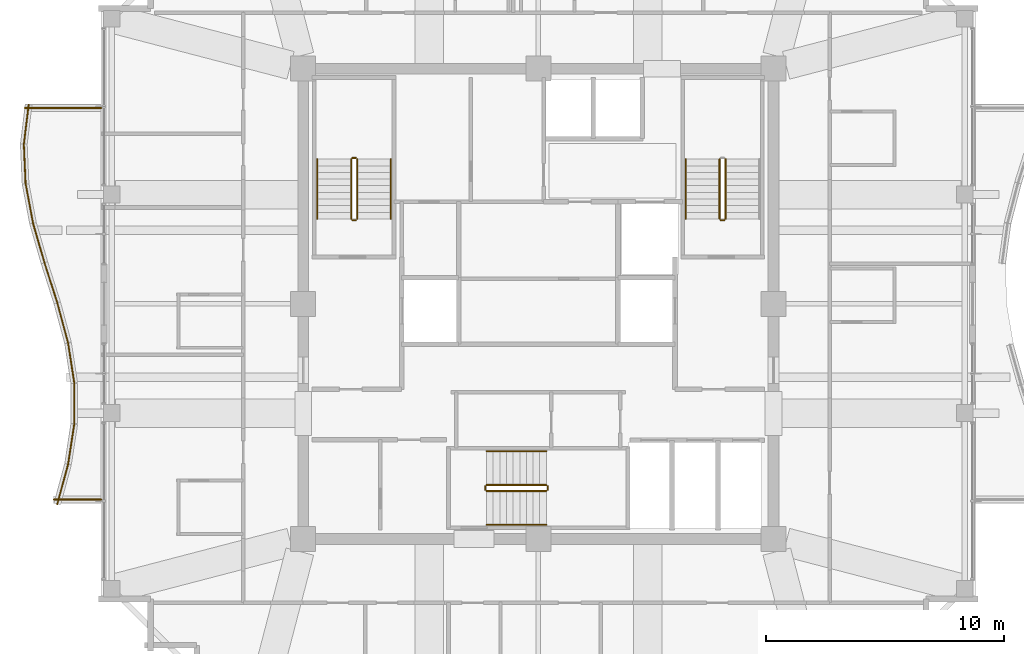
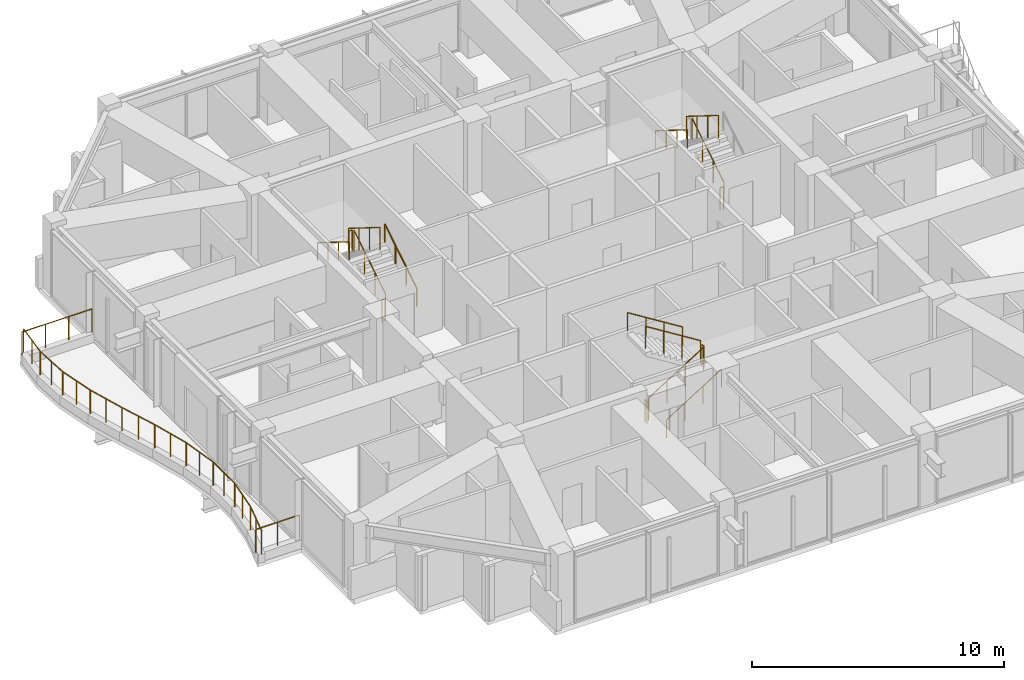
# One storey, part 30 of 31: 28 railings.
"""IFC4 building model written with IfcOpenShell, lengths in metres."""

from ifc_helpers import new_model, si_unit, direction, frame, origin, origin_2d, place, context, subcontext, project, spatial, circle, extrude, material, type_object, element, save


model = new_model("IFC4")

# Units and contexts
model_context = context("Model", 3, precision=1e-05, world=origin(), true_north=direction((0.0, 1.0)))
body_context = subcontext(model_context, "Body", "Model", "MODEL_VIEW")
ifc_project = project(units=[si_unit("LENGTHUNIT", "METRE"), si_unit("AREAUNIT", "SQUARE_METRE"), si_unit("VOLUMEUNIT", "CUBIC_METRE"), si_unit("PLANEANGLEUNIT", "RADIAN"), si_unit("MASSUNIT", "GRAM", prefix="KILO")], contexts=[model_context])

# Site, building, storey
site_placement = place(None, origin())
site = spatial("IfcSite", under=ifc_project, at=site_placement, CompositionType="ELEMENT")
building_placement = place(site_placement, origin())
building = spatial("IfcBuilding", under=site, at=building_placement, Name="Kolvaren Belvedere", CompositionType="ELEMENT")
storey_placement = place(building_placement, frame((0.0, 0.0, 237.39990234375)))
storey = spatial("IfcBuildingStorey", under=building, at=storey_placement, Name="L69", CompositionType="ELEMENT", Elevation=237.39990234375)

# Railings
ifc_material_1 = material(Name="Anodised pale-metal aluminium & laminated glass guard", Category="aluminium")
railing_type_1 = type_object("IfcRailingType", Name="RL-GUARD-1150", PredefinedType="GUARDRAIL", material=ifc_material_1)
railing_1_placement = place(storey_placement, frame((-21.454833984375, 8.380615234375, 0.35009765625)))
element("IfcRailing", 1, at=railing_1_placement, inside=storey, type_object=railing_type_1, Name="L69 Exterior Deck Safety Guard BAL-W-1", PredefinedType="GUARDRAIL", context=body_context, shape_type="SweptSolid", body=[
    extrude(circle(Radius=0.02392578125, at=origin_2d()), frame((0.0, 0.0, 1.1259765625), z_axis=(-0.121868867697, -0.992546210051, 0.0), x_axis=(0.992546210051, -0.121868867697, 0.0)), (0.0, 0.0, 1.0), 1.69287109375),
    extrude(circle(Radius=0.02099609375, at=origin_2d()), origin(), (0.0, 0.0, 1.0), 1.101806640625),
    extrude(circle(Radius=0.02099609375, at=origin_2d()), frame((-0.10302734375, -0.840087890625, 0.0)), (0.0, 0.0, 1.0), 1.101806640625),
    extrude(circle(Radius=0.02099609375, at=origin_2d()), frame((-0.206298828125, -1.68017578125, 0.0)), (0.0, 0.0, 1.0), 1.101806640625),
])
railing_2_placement = place(storey_placement, frame((-21.66015625, 6.727294921875, 0.35009765625)))
element("IfcRailing", 2, at=railing_2_placement, inside=storey, type_object=railing_type_1, Name="L69 Exterior Deck Safety Guard BAL-W-2", PredefinedType="GUARDRAIL", context=body_context, shape_type="SweptSolid", body=[
    extrude(circle(Radius=0.02392578125, at=origin_2d()), frame((0.0, 0.0, 1.1259765625), z_axis=(0.044999415011, -0.998987013253, 0.0), x_axis=(0.998987013253, 0.044999415011, 0.0)), (0.0, 0.0, 1.0), 1.681884765625),
    extrude(circle(Radius=0.02099609375, at=origin_2d()), origin(), (0.0, 0.0, 1.0), 1.101806640625),
    extrude(circle(Radius=0.02099609375, at=origin_2d()), frame((0.037841796875, -0.840087890625, 0.0)), (0.0, 0.0, 1.0), 1.101806640625),
    extrude(circle(Radius=0.02099609375, at=origin_2d()), frame((0.07568359375, -1.68017578125, 0.0)), (0.0, 0.0, 1.0), 1.101806640625),
])
railing_3_placement = place(storey_placement, frame((-21.5869140625, 5.069580078125, 0.35009765625)))
element("IfcRailing", 3, at=railing_3_placement, inside=storey, type_object=railing_type_1, Name="L69 Exterior Deck Safety Guard BAL-W-3", PredefinedType="GUARDRAIL", context=body_context, shape_type="SweptSolid", body=[
    extrude(circle(Radius=0.02392578125, at=origin_2d()), frame((0.0, 0.0, 1.1259765625), z_axis=(0.18467658162, -0.982799348901, 0.0), x_axis=(0.982799348901, 0.18467658162, 0.0)), (0.0, 0.0, 1.0), 1.709228515625),
    extrude(circle(Radius=0.02099609375, at=origin_2d()), origin(), (0.0, 0.0, 1.0), 1.101806640625),
    extrude(circle(Radius=0.02099609375, at=origin_2d()), frame((0.15771484375, -0.83984375, 0.0)), (0.0, 0.0, 1.0), 1.101806640625),
    extrude(circle(Radius=0.02099609375, at=origin_2d()), frame((0.315673828125, -1.679931640625, 0.0)), (0.0, 0.0, 1.0), 1.101806640625),
])
railing_4_placement = place(storey_placement, frame((-21.274658203125, 3.404541015625, 0.35009765625)))
element("IfcRailing", 4, at=railing_4_placement, inside=storey, type_object=railing_type_1, Name="L69 Exterior Deck Safety Guard BAL-W-4", PredefinedType="GUARDRAIL", context=body_context, shape_type="SweptSolid", body=[
    extrude(circle(Radius=0.02392578125, at=origin_2d()), frame((0.0, 0.0, 1.1259765625), z_axis=(0.277817391164, -0.960633903819, 0.0), x_axis=(0.960633903819, 0.277817391164, 0.0)), (0.0, 0.0, 1.0), 1.748779296875),
    extrude(circle(Radius=0.02099609375, at=origin_2d()), origin(), (0.0, 0.0, 1.0), 1.101806640625),
    extrude(circle(Radius=0.02099609375, at=origin_2d()), frame((0.242919921875, -0.83984375, 0.0)), (0.0, 0.0, 1.0), 1.101806640625),
    extrude(circle(Radius=0.02099609375, at=origin_2d()), frame((0.48583984375, -1.679931640625, 0.0)), (0.0, 0.0, 1.0), 1.101806640625),
])
railing_5_placement = place(storey_placement, frame((-20.7900390625, 1.728515625, 0.35009765625)))
element("IfcRailing", 5, at=railing_5_placement, inside=storey, type_object=railing_type_1, Name="L69 Exterior Deck Safety Guard BAL-W-5", PredefinedType="GUARDRAIL", context=body_context, shape_type="SweptSolid", body=[
    extrude(circle(Radius=0.02392578125, at=origin_2d()), frame((0.0, 0.0, 1.1259765625), z_axis=(0.304032153573, -0.952661770826, 0.0), x_axis=(0.952661770826, 0.304032153573, 0.0)), (0.0, 0.0, 1.0), 1.763427734375),
    extrude(circle(Radius=0.02099609375, at=origin_2d()), origin(), (0.0, 0.0, 1.0), 1.101806640625),
    extrude(circle(Radius=0.02099609375, at=origin_2d()), frame((0.26806640625, -0.83984375, 0.0)), (0.0, 0.0, 1.0), 1.101806640625),
    extrude(circle(Radius=0.02099609375, at=origin_2d()), frame((0.5361328125, -1.679931640625, 0.0)), (0.0, 0.0, 1.0), 1.101806640625),
])
railing_6_placement = place(storey_placement, frame((-20.251708984375, 0.041748046875, 0.35009765625)))
element("IfcRailing", 6, at=railing_6_placement, inside=storey, type_object=railing_type_1, Name="L69 Exterior Deck Safety Guard BAL-W-6", PredefinedType="GUARDRAIL", context=body_context, shape_type="SweptSolid", body=[
    extrude(circle(Radius=0.02392578125, at=origin_2d()), frame((0.0, 0.0, 1.1259765625), z_axis=(0.260682852326, -0.965424492388, 0.0), x_axis=(0.965424492388, 0.260682852326, 0.0)), (0.0, 0.0, 1.0), 1.739990234375),
    extrude(circle(Radius=0.02099609375, at=origin_2d()), origin(), (0.0, 0.0, 1.0), 1.101806640625),
    extrude(circle(Radius=0.02099609375, at=origin_2d()), frame((0.226806640625, -0.83984375, 0.0)), (0.0, 0.0, 1.0), 1.101806640625),
    extrude(circle(Radius=0.02099609375, at=origin_2d()), frame((0.45361328125, -1.679931640625, 0.0)), (0.0, 0.0, 1.0), 1.101806640625),
])
railing_7_placement = place(storey_placement, frame((-19.794677734375, -1.655517578125, 0.35009765625)))
element("IfcRailing", 7, at=railing_7_placement, inside=storey, type_object=railing_type_1, Name="L69 Exterior Deck Safety Guard BAL-W-7", PredefinedType="GUARDRAIL", context=body_context, shape_type="SweptSolid", body=[
    extrude(circle(Radius=0.02392578125, at=origin_2d()), frame((0.0, 0.0, 1.1259765625), z_axis=(0.152229849666, -0.988345118302, 0.0), x_axis=(0.988345118302, 0.152229849666, 0.0)), (0.0, 0.0, 1.0), 1.699951171875),
    extrude(circle(Radius=0.02099609375, at=origin_2d()), origin(), (0.0, 0.0, 1.0), 1.101806640625),
    extrude(circle(Radius=0.02099609375, at=origin_2d()), frame((0.12939453125, -0.840087890625, 0.0)), (0.0, 0.0, 1.0), 1.101806640625),
    extrude(circle(Radius=0.02099609375, at=origin_2d()), frame((0.2587890625, -1.68017578125, 0.0)), (0.0, 0.0, 1.0), 1.101806640625),
])
railing_8_placement = place(storey_placement, frame((-19.533935546875, -3.360107421875, 0.35009765625)))
element("IfcRailing", 8, at=railing_8_placement, inside=storey, type_object=railing_type_1, Name="L69 Exterior Deck Safety Guard BAL-W-8", PredefinedType="GUARDRAIL", context=body_context, shape_type="SweptSolid", body=[
    extrude(circle(Radius=0.02392578125, at=origin_2d()), frame((0.0, 0.0, 1.1259765625), z_axis=(0.0, -1.0, 0.0), x_axis=(1.0, 0.0, 0.0)), (0.0, 0.0, 1.0), 1.679931640625),
    extrude(circle(Radius=0.02099609375, at=origin_2d()), origin(), (0.0, 0.0, 1.0), 1.101806640625),
    extrude(circle(Radius=0.02099609375, at=origin_2d()), frame((0.0, -0.83984375, 0.0)), (0.0, 0.0, 1.0), 1.101806640625),
    extrude(circle(Radius=0.02099609375, at=origin_2d()), frame((0.0, -1.679931640625, 0.0)), (0.0, 0.0, 1.0), 1.101806640625),
])
railing_9_placement = place(storey_placement, frame((-19.535888671875, -5.064453125, 0.35009765625)))
element("IfcRailing", 9, at=railing_9_placement, inside=storey, type_object=railing_type_1, Name="L69 Exterior Deck Safety Guard BAL-W-9", PredefinedType="GUARDRAIL", context=body_context, shape_type="SweptSolid", body=[
    extrude(circle(Radius=0.02392578125, at=origin_2d()), frame((0.0, 0.0, 1.1259765625), z_axis=(-0.152251460091, -0.988341789514, 0.0), x_axis=(0.988341789514, -0.152251460091, 0.0)), (0.0, 0.0, 1.0), 1.69970703125),
    extrude(circle(Radius=0.02099609375, at=origin_2d()), origin(), (0.0, 0.0, 1.0), 1.101806640625),
    extrude(circle(Radius=0.02099609375, at=origin_2d()), frame((-0.12939453125, -0.83984375, 0.0)), (0.0, 0.0, 1.0), 1.101806640625),
    extrude(circle(Radius=0.02099609375, at=origin_2d()), frame((-0.2587890625, -1.679931640625, 0.0)), (0.0, 0.0, 1.0), 1.101806640625),
])
railing_10_placement = place(storey_placement, frame((-19.798095703125, -6.76171875, 0.35009765625)))
element("IfcRailing", 10, at=railing_10_placement, inside=storey, type_object=railing_type_1, Name="L69 Exterior Deck Safety Guard BAL-W-10", PredefinedType="GUARDRAIL", context=body_context, shape_type="SweptSolid", body=[
    extrude(circle(Radius=0.02392578125, at=origin_2d()), frame((0.0, 0.0, 1.1259765625), z_axis=(-0.260682852326, -0.965424492388, 0.0), x_axis=(0.965424492388, -0.260682852326, 0.0)), (0.0, 0.0, 1.0), 1.739990234375),
    extrude(circle(Radius=0.02099609375, at=origin_2d()), origin(), (0.0, 0.0, 1.0), 1.101806640625),
    extrude(circle(Radius=0.02099609375, at=origin_2d()), frame((-0.226806640625, -0.83984375, 0.0)), (0.0, 0.0, 1.0), 1.101806640625),
    extrude(circle(Radius=0.02099609375, at=origin_2d()), frame((-0.45361328125, -1.679931640625, 0.0)), (0.0, 0.0, 1.0), 1.101806640625),
])
railing_11_placement = place(storey_placement, frame((-20.40625, -8.239990234375, 0.35009765625)))
element("IfcRailing", 11, at=railing_11_placement, inside=storey, type_object=railing_type_1, Name="L69 Exterior Deck Safety Guard BAL-W-11", PredefinedType="GUARDRAIL", context=body_context, shape_type="SweptSolid", body=[
    extrude(circle(Radius=0.02392578125, at=origin_2d()), frame((0.0, 0.0, 1.1259765625), z_axis=(1.0, 0.0, 0.0), x_axis=(0.0, 1.0, 0.0)), (0.0, 0.0, 1.0), 2.00634765625),
    extrude(circle(Radius=0.02099609375, at=origin_2d()), origin(), (0.0, 0.0, 1.0), 1.101806640625),
    extrude(circle(Radius=0.02099609375, at=origin_2d()), frame((1.003173828125, 0.0, 0.0)), (0.0, 0.0, 1.0), 1.101806640625),
    extrude(circle(Radius=0.02099609375, at=origin_2d()), frame((2.00634765625, 0.0, 0.0)), (0.0, 0.0, 1.0), 1.101806640625),
])
railing_12_placement = place(storey_placement, frame((-18.39990234375, 8.239990234375, 0.35009765625)))
element("IfcRailing", 12, at=railing_12_placement, inside=storey, type_object=railing_type_1, Name="L69 Exterior Deck Safety Guard BAL-W-22", PredefinedType="GUARDRAIL", context=body_context, shape_type="SweptSolid", body=[
    extrude(circle(Radius=0.02392578125, at=origin_2d()), frame((0.0, 0.0, 1.1259765625), z_axis=(-1.0, 0.0, 0.0), x_axis=(0.0, -1.0, 0.0)), (0.0, 0.0, 1.0), 3.2138671875),
    extrude(circle(Radius=0.02099609375, at=origin_2d()), origin(), (0.0, 0.0, 1.0), 1.101806640625),
    extrude(circle(Radius=0.02099609375, at=origin_2d()), frame((-1.0712890625, 0.0, 0.0)), (0.0, 0.0, 1.0), 1.101806640625),
    extrude(circle(Radius=0.02099609375, at=origin_2d()), frame((-2.142578125, 0.0, 0.0)), (0.0, 0.0, 1.0), 1.101806640625),
    extrude(circle(Radius=0.02099609375, at=origin_2d()), frame((-3.2138671875, 0.0, 0.0)), (0.0, 0.0, 1.0), 1.101806640625),
])
ifc_material_2 = material(Name="Brushed stainless-steel handrail", Category="steel")
railing_type_2 = type_object("IfcRailingType", Name="RL-HANDRAIL-920", PredefinedType="HANDRAIL", material=ifc_material_2)
railing_13_placement = place(storey_placement, frame((-6.2099609375, 3.570068359375, 0.175048828125)))
element("IfcRailing", 13, at=railing_13_placement, inside=storey, type_object=railing_type_2, Name="L69 ST-1 stair handrail 1", PredefinedType="HANDRAIL", context=body_context, shape_type="SweptSolid", body=[
    extrude(circle(Radius=0.02392578125, at=origin_2d()), frame((0.0, 0.0, 0.8759765625), z_axis=(0.0, 0.848007534815, 0.529984170421), x_axis=(-1.0, 0.0, 0.0)), (0.0, 0.0, 1.0), 2.9716796875),
    extrude(circle(Radius=0.02099609375, at=origin_2d()), origin(), (0.0, 0.0, 1.0), 0.851806640625),
    extrude(circle(Radius=0.02099609375, at=origin_2d()), frame((0.0, 0.840087890625, 0.52490234375)), (0.0, 0.0, 1.0), 0.851806640625),
    extrude(circle(Radius=0.02099609375, at=origin_2d()), frame((0.0, 1.679931640625, 1.050048828125)), (0.0, 0.0, 1.0), 0.851806640625),
    extrude(circle(Radius=0.02099609375, at=origin_2d()), frame((0.0, 2.52001953125, 1.574951171875)), (0.0, 0.0, 1.0), 0.851806640625),
])
for number, where, name in (
    (14, (-9.300048828125, 6.090087890625, 1.925048828125), "L69 ST-1 stair handrail 2"),
    (15, (6.2099609375, 6.090087890625, 1.925048828125), "L69 ST-2 stair handrail 2"),
):
    element("IfcRailing", number, at=place(storey_placement, frame(where)), inside=storey, type_object=railing_type_2, Name=name, PredefinedType="HANDRAIL", context=body_context, shape_type="SweptSolid", body=[
        extrude(circle(Radius=0.02392578125, at=origin_2d()), frame((0.0, 0.0, 0.8759765625), z_axis=(0.0, -0.848007534815, 0.529984170421), x_axis=(1.0, 0.0, 0.0)), (0.0, 0.0, 1.0), 2.9716796875),
        extrude(circle(Radius=0.02099609375, at=origin_2d()), origin(), (0.0, 0.0, 1.0), 0.851806640625),
        extrude(circle(Radius=0.02099609375, at=origin_2d()), frame((0.0, -0.840087890625, 0.52490234375)), (0.0, 0.0, 1.0), 0.851806640625),
        extrude(circle(Radius=0.02099609375, at=origin_2d()), frame((0.0, -1.679931640625, 1.050048828125)), (0.0, 0.0, 1.0), 0.851806640625),
        extrude(circle(Radius=0.02099609375, at=origin_2d()), frame((0.0, -2.52001953125, 1.574951171875)), (0.0, 0.0, 1.0), 0.851806640625),
    ])
railing_14_placement = place(storey_placement, frame((-2.179931640625, -9.300048828125, 0.175048828125)))
element("IfcRailing", 16, at=railing_14_placement, inside=storey, type_object=railing_type_2, Name="L69 ST-3 stair handrail 1", PredefinedType="HANDRAIL", context=body_context, shape_type="SweptSolid", body=[
    extrude(circle(Radius=0.02392578125, at=origin_2d()), frame((0.0, 0.0, 0.8759765625), z_axis=(0.848007534815, 0.0, 0.529984170421), x_axis=(0.0, 1.0, 0.0)), (0.0, 0.0, 1.0), 2.9716796875),
    extrude(circle(Radius=0.02099609375, at=origin_2d()), origin(), (0.0, 0.0, 1.0), 0.851806640625),
    extrude(circle(Radius=0.02099609375, at=origin_2d()), frame((0.840087890625, 0.0, 0.52490234375)), (0.0, 0.0, 1.0), 0.851806640625),
    extrude(circle(Radius=0.02099609375, at=origin_2d()), frame((1.679931640625, 0.0, 1.050048828125)), (0.0, 0.0, 1.0), 0.851806640625),
    extrude(circle(Radius=0.02099609375, at=origin_2d()), frame((2.52001953125, 0.0, 1.574951171875)), (0.0, 0.0, 1.0), 0.851806640625),
])
railing_15_placement = place(storey_placement, frame((0.340087890625, -6.2099609375, 1.925048828125)))
element("IfcRailing", 17, at=railing_15_placement, inside=storey, type_object=railing_type_2, Name="L69 ST-3 stair handrail 2", PredefinedType="HANDRAIL", context=body_context, shape_type="SweptSolid", body=[
    extrude(circle(Radius=0.02392578125, at=origin_2d()), frame((0.0, 0.0, 0.8759765625), z_axis=(-0.848007534815, 0.0, 0.529984170421), x_axis=(0.0, -1.0, 0.0)), (0.0, 0.0, 1.0), 2.9716796875),
    extrude(circle(Radius=0.02099609375, at=origin_2d()), origin(), (0.0, 0.0, 1.0), 0.851806640625),
    extrude(circle(Radius=0.02099609375, at=origin_2d()), frame((-0.840087890625, 0.0, 0.52490234375)), (0.0, 0.0, 1.0), 0.851806640625),
    extrude(circle(Radius=0.02099609375, at=origin_2d()), frame((-1.679931640625, 0.0, 1.050048828125)), (0.0, 0.0, 1.0), 0.851806640625),
    extrude(circle(Radius=0.02099609375, at=origin_2d()), frame((-2.52001953125, 0.0, 1.574951171875)), (0.0, 0.0, 1.0), 0.851806640625),
])
ifc_material_3 = material(Name="Painted tubular steel stair guard", Category="steel")
railing_type_3 = type_object("IfcRailingType", Name="RL-STGUARD-1100", PredefinedType="GUARDRAIL", material=ifc_material_3)
railing_16_placement = place(storey_placement, frame((-7.6298828125, 3.570068359375, 0.175048828125)))
element("IfcRailing", 18, at=railing_16_placement, inside=storey, type_object=railing_type_3, Name="L69 ST-1 stair guard 1", PredefinedType="GUARDRAIL", context=body_context, shape_type="SweptSolid", body=[
    extrude(circle(Radius=0.02392578125, at=origin_2d()), frame((0.0, 0.0, 1.076171875), z_axis=(0.0, 0.848007534815, 0.529984170421), x_axis=(-1.0, 0.0, 0.0)), (0.0, 0.0, 1.0), 2.9716796875),
    extrude(circle(Radius=0.02099609375, at=origin_2d()), origin(), (0.0, 0.0, 1.0), 1.052001953125),
    extrude(circle(Radius=0.02099609375, at=origin_2d()), frame((0.0, 0.840087890625, 0.52490234375)), (0.0, 0.0, 1.0), 1.052001953125),
    extrude(circle(Radius=0.02099609375, at=origin_2d()), frame((0.0, 1.679931640625, 1.050048828125)), (0.0, 0.0, 1.0), 1.052001953125),
    extrude(circle(Radius=0.02099609375, at=origin_2d()), frame((0.0, 2.52001953125, 1.574951171875)), (0.0, 0.0, 1.0), 1.052001953125),
])
railing_17_placement = place(storey_placement, frame((-7.679931640625, 6.139892578125, 1.75)))
element("IfcRailing", 19, at=railing_17_placement, inside=storey, type_object=railing_type_3, Name="L69 ST-1 stair guard 2", PredefinedType="GUARDRAIL", context=body_context, shape_type="SweptSolid", body=[
    extrude(circle(Radius=0.02392578125, at=origin_2d()), frame((0.0, 0.0, 1.076171875), z_axis=(-1.0, 0.0, 0.0), x_axis=(0.0, -1.0, 0.0)), (0.0, 0.0, 1.0), 0.150146484375),
    extrude(circle(Radius=0.02099609375, at=origin_2d()), origin(), (0.0, 0.0, 1.0), 1.052001953125),
    extrude(circle(Radius=0.02099609375, at=origin_2d()), frame((-0.150146484375, 0.0, 0.0)), (0.0, 0.0, 1.0), 1.052001953125),
])
railing_18_placement = place(storey_placement, frame((-7.8798828125, 6.090087890625, 1.925048828125)))
element("IfcRailing", 20, at=railing_18_placement, inside=storey, type_object=railing_type_3, Name="L69 ST-1 stair guard 3", PredefinedType="GUARDRAIL", context=body_context, shape_type="SweptSolid", body=[
    extrude(circle(Radius=0.02392578125, at=origin_2d()), frame((0.0, 0.0, 1.076171875), z_axis=(0.0, -0.848007534815, 0.529984170421), x_axis=(1.0, 0.0, 0.0)), (0.0, 0.0, 1.0), 2.9716796875),
    extrude(circle(Radius=0.02099609375, at=origin_2d()), origin(), (0.0, 0.0, 1.0), 1.052001953125),
    extrude(circle(Radius=0.02099609375, at=origin_2d()), frame((0.0, -0.840087890625, 0.52490234375)), (0.0, 0.0, 1.0), 1.052001953125),
    extrude(circle(Radius=0.02099609375, at=origin_2d()), frame((0.0, -1.679931640625, 1.050048828125)), (0.0, 0.0, 1.0), 1.052001953125),
    extrude(circle(Radius=0.02099609375, at=origin_2d()), frame((0.0, -2.52001953125, 1.574951171875)), (0.0, 0.0, 1.0), 1.052001953125),
])
railing_19_placement = place(storey_placement, frame((-7.679931640625, 3.52001953125, 0.0)))
element("IfcRailing", 21, at=railing_19_placement, inside=storey, type_object=railing_type_3, Name="L69 ST-1 stair guard 4", PredefinedType="GUARDRAIL", context=body_context, shape_type="SweptSolid", body=[
    extrude(circle(Radius=0.02392578125, at=origin_2d()), frame((0.0, 0.0, 1.076171875), z_axis=(-1.0, 0.0, 0.0), x_axis=(0.0, -1.0, 0.0)), (0.0, 0.0, 1.0), 0.150146484375),
    extrude(circle(Radius=0.02099609375, at=origin_2d()), origin(), (0.0, 0.0, 1.0), 1.052001953125),
    extrude(circle(Radius=0.02099609375, at=origin_2d()), frame((-0.150146484375, 0.0, 0.0)), (0.0, 0.0, 1.0), 1.052001953125),
])
railing_20_placement = place(storey_placement, frame((7.8798828125, 3.570068359375, 0.175048828125)))
element("IfcRailing", 22, at=railing_20_placement, inside=storey, type_object=railing_type_3, Name="L69 ST-2 stair guard 1", PredefinedType="GUARDRAIL", context=body_context, shape_type="SweptSolid", body=[
    extrude(circle(Radius=0.02392578125, at=origin_2d()), frame((0.0, 0.0, 1.076171875), z_axis=(0.0, 0.848007534815, 0.529984170421), x_axis=(-1.0, 0.0, 0.0)), (0.0, 0.0, 1.0), 2.9716796875),
    extrude(circle(Radius=0.02099609375, at=origin_2d()), origin(), (0.0, 0.0, 1.0), 1.052001953125),
    extrude(circle(Radius=0.02099609375, at=origin_2d()), frame((0.0, 0.840087890625, 0.52490234375)), (0.0, 0.0, 1.0), 1.052001953125),
    extrude(circle(Radius=0.02099609375, at=origin_2d()), frame((0.0, 1.679931640625, 1.050048828125)), (0.0, 0.0, 1.0), 1.052001953125),
    extrude(circle(Radius=0.02099609375, at=origin_2d()), frame((0.0, 2.52001953125, 1.574951171875)), (0.0, 0.0, 1.0), 1.052001953125),
])
railing_21_placement = place(storey_placement, frame((7.6298828125, 6.090087890625, 1.925048828125)))
element("IfcRailing", 23, at=railing_21_placement, inside=storey, type_object=railing_type_3, Name="L69 ST-2 stair guard 3", PredefinedType="GUARDRAIL", context=body_context, shape_type="SweptSolid", body=[
    extrude(circle(Radius=0.02392578125, at=origin_2d()), frame((0.0, 0.0, 1.076171875), z_axis=(0.0, -0.848007534815, 0.529984170421), x_axis=(1.0, 0.0, 0.0)), (0.0, 0.0, 1.0), 2.9716796875),
    extrude(circle(Radius=0.02099609375, at=origin_2d()), origin(), (0.0, 0.0, 1.0), 1.052001953125),
    extrude(circle(Radius=0.02099609375, at=origin_2d()), frame((0.0, -0.840087890625, 0.52490234375)), (0.0, 0.0, 1.0), 1.052001953125),
    extrude(circle(Radius=0.02099609375, at=origin_2d()), frame((0.0, -1.679931640625, 1.050048828125)), (0.0, 0.0, 1.0), 1.052001953125),
    extrude(circle(Radius=0.02099609375, at=origin_2d()), frame((0.0, -2.52001953125, 1.574951171875)), (0.0, 0.0, 1.0), 1.052001953125),
])
railing_22_placement = place(storey_placement, frame((7.830078125, 3.52001953125, 0.0)))
element("IfcRailing", 24, at=railing_22_placement, inside=storey, type_object=railing_type_3, Name="L69 ST-2 stair guard 4", PredefinedType="GUARDRAIL", context=body_context, shape_type="SweptSolid", body=[
    extrude(circle(Radius=0.02392578125, at=origin_2d()), frame((0.0, 0.0, 1.076171875), z_axis=(-1.0, 0.0, 0.0), x_axis=(0.0, -1.0, 0.0)), (0.0, 0.0, 1.0), 0.150146484375),
    extrude(circle(Radius=0.02099609375, at=origin_2d()), origin(), (0.0, 0.0, 1.0), 1.052001953125),
    extrude(circle(Radius=0.02099609375, at=origin_2d()), frame((-0.150146484375, 0.0, 0.0)), (0.0, 0.0, 1.0), 1.052001953125),
])
railing_23_placement = place(storey_placement, frame((-2.179931640625, -7.8798828125, 0.175048828125)))
element("IfcRailing", 25, at=railing_23_placement, inside=storey, type_object=railing_type_3, Name="L69 ST-3 stair guard 1", PredefinedType="GUARDRAIL", context=body_context, shape_type="SweptSolid", body=[
    extrude(circle(Radius=0.02392578125, at=origin_2d()), frame((0.0, 0.0, 1.076171875), z_axis=(0.848007534815, 0.0, 0.529984170421), x_axis=(0.0, 1.0, 0.0)), (0.0, 0.0, 1.0), 2.9716796875),
    extrude(circle(Radius=0.02099609375, at=origin_2d()), origin(), (0.0, 0.0, 1.0), 1.052001953125),
    extrude(circle(Radius=0.02099609375, at=origin_2d()), frame((0.840087890625, 0.0, 0.52490234375)), (0.0, 0.0, 1.0), 1.052001953125),
    extrude(circle(Radius=0.02099609375, at=origin_2d()), frame((1.679931640625, 0.0, 1.050048828125)), (0.0, 0.0, 1.0), 1.052001953125),
    extrude(circle(Radius=0.02099609375, at=origin_2d()), frame((2.52001953125, 0.0, 1.574951171875)), (0.0, 0.0, 1.0), 1.052001953125),
])
railing_24_placement = place(storey_placement, frame((0.389892578125, -7.830078125, 1.75)))
element("IfcRailing", 26, at=railing_24_placement, inside=storey, type_object=railing_type_3, Name="L69 ST-3 stair guard 2", PredefinedType="GUARDRAIL", context=body_context, shape_type="SweptSolid", body=[
    extrude(circle(Radius=0.02392578125, at=origin_2d()), frame((0.0, 0.0, 1.076171875), z_axis=(0.0, 1.0, 0.0), x_axis=(-1.0, 0.0, 0.0)), (0.0, 0.0, 1.0), 0.150146484375),
    extrude(circle(Radius=0.02099609375, at=origin_2d()), origin(), (0.0, 0.0, 1.0), 1.052001953125),
    extrude(circle(Radius=0.02099609375, at=origin_2d()), frame((0.0, 0.150146484375, 0.0)), (0.0, 0.0, 1.0), 1.052001953125),
])
railing_25_placement = place(storey_placement, frame((0.340087890625, -7.6298828125, 1.925048828125)))
element("IfcRailing", 27, at=railing_25_placement, inside=storey, type_object=railing_type_3, Name="L69 ST-3 stair guard 3", PredefinedType="GUARDRAIL", context=body_context, shape_type="SweptSolid", body=[
    extrude(circle(Radius=0.02392578125, at=origin_2d()), frame((0.0, 0.0, 1.076171875), z_axis=(-0.848007534815, 0.0, 0.529984170421), x_axis=(0.0, -1.0, 0.0)), (0.0, 0.0, 1.0), 2.9716796875),
    extrude(circle(Radius=0.02099609375, at=origin_2d()), origin(), (0.0, 0.0, 1.0), 1.052001953125),
    extrude(circle(Radius=0.02099609375, at=origin_2d()), frame((-0.840087890625, 0.0, 0.52490234375)), (0.0, 0.0, 1.0), 1.052001953125),
    extrude(circle(Radius=0.02099609375, at=origin_2d()), frame((-1.679931640625, 0.0, 1.050048828125)), (0.0, 0.0, 1.0), 1.052001953125),
    extrude(circle(Radius=0.02099609375, at=origin_2d()), frame((-2.52001953125, 0.0, 1.574951171875)), (0.0, 0.0, 1.0), 1.052001953125),
])
railing_26_placement = place(storey_placement, frame((-2.22998046875, -7.830078125, 0.0)))
element("IfcRailing", 28, at=railing_26_placement, inside=storey, type_object=railing_type_3, Name="L69 ST-3 stair guard 4", PredefinedType="GUARDRAIL", context=body_context, shape_type="SweptSolid", body=[
    extrude(circle(Radius=0.02392578125, at=origin_2d()), frame((0.0, 0.0, 1.076171875), z_axis=(0.0, 1.0, 0.0), x_axis=(-1.0, 0.0, 0.0)), (0.0, 0.0, 1.0), 0.150146484375),
    extrude(circle(Radius=0.02099609375, at=origin_2d()), origin(), (0.0, 0.0, 1.0), 1.052001953125),
    extrude(circle(Radius=0.02099609375, at=origin_2d()), frame((0.0, 0.150146484375, 0.0)), (0.0, 0.0, 1.0), 1.052001953125),
])

save(model, "model.ifc")
